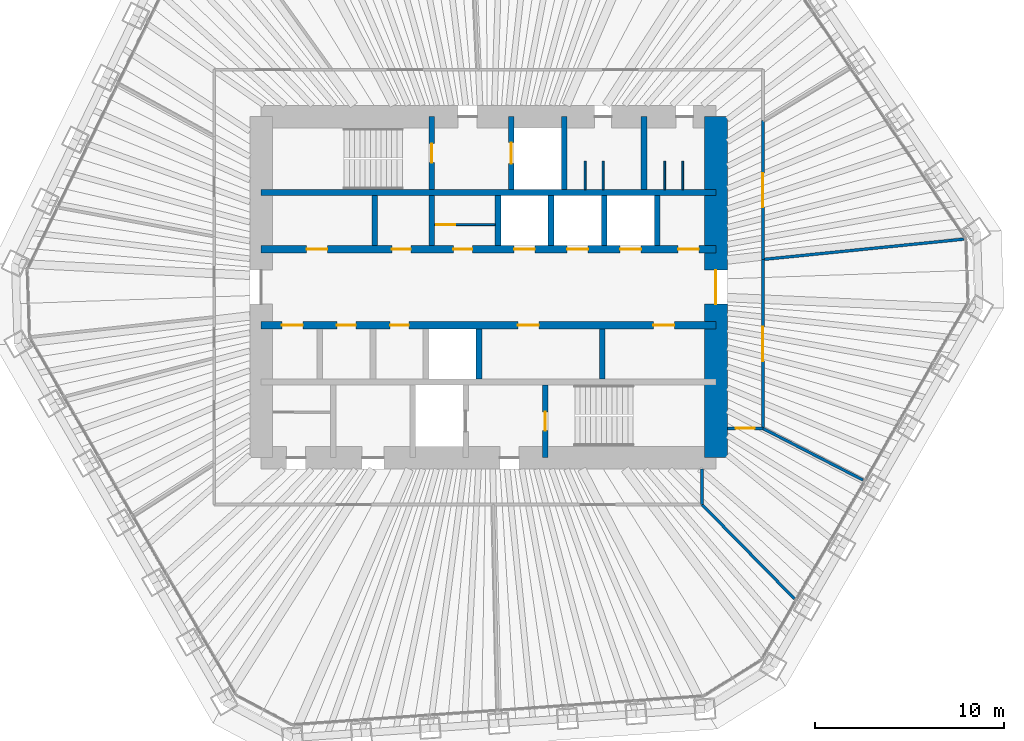
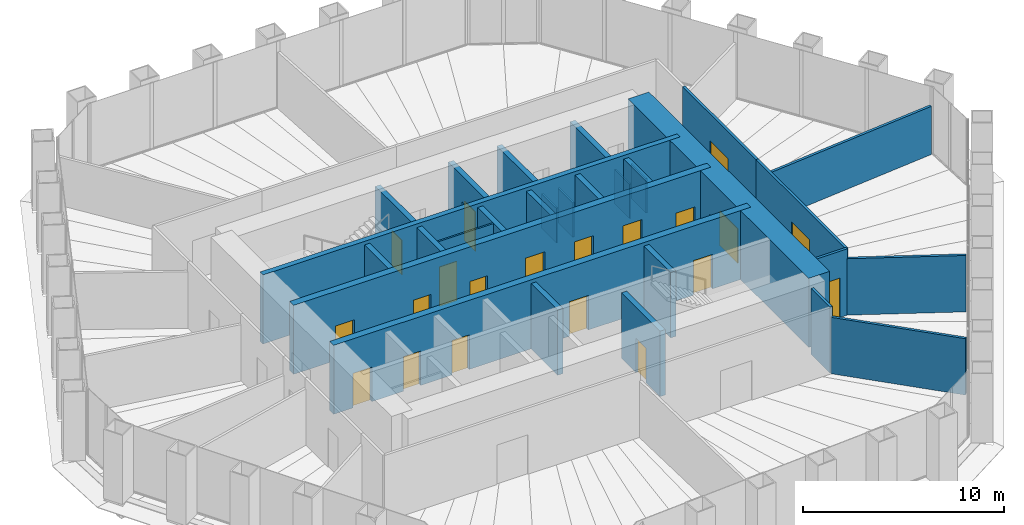
# One storey, part 11 of 13: 29 walls, 20 doors, 20 openings.
"""IFC4 building model written with IfcOpenShell, lengths in metres."""

import ifcopenshell
import ifcopenshell.guid

model = None  # the IFC model being written
_history = None  # IfcOwnerHistory: only IFC2X3 demands one
_inside = {}  # id of a spatial element -> (the spatial element, [elements in it])
_under = {}  # id of a project, library or spatial element -> (it, [spatial elements below it])
_declared = {}  # id of a project -> (the project, [libraries it declares])
_typed = {}  # id of a type object -> (the type object, [elements of that type])
_made_of = {}  # id of a material, layer set ... -> (it, [elements and type objects made of it])


def new_model(schema):
    """Start an empty IFC model of exactly this schema.

    Asked for "IFC4X3", IfcOpenShell would pick the latest addendum, in which some entities
    have other attributes; the version numbers below select the first issue.
    IFC2X3 requires an IfcOwnerHistory on every rooted entity: one is made here for all.
    """
    global model, _history
    if schema == "IFC4X3":
        model = ifcopenshell.file(schema_version=(4, 3, 0, 0))
    else:
        model = ifcopenshell.file(schema=schema)
    _inside.clear()
    _under.clear()
    _declared.clear()
    _typed.clear()
    _made_of.clear()
    _history = None
    if model.schema == "IFC2X3":
        org = make("IfcOrganization", Name="unknown")
        user = make(
            "IfcPersonAndOrganization",
            ThePerson=make("IfcPerson", FamilyName="unknown"),
            TheOrganization=org,
        )
        app = make(
            "IfcApplication",
            ApplicationDeveloper=org,
            Version="unknown",
            ApplicationFullName="unknown",
            ApplicationIdentifier="unknown",
        )
        _history = make(
            "IfcOwnerHistory",
            OwningUser=user,
            OwningApplication=app,
            ChangeAction="ADDED",
            CreationDate=0,
        )
    return model


def make(cls, **values):
    """One entity of the class cls with the attributes given. An attribute that is None is left unset."""
    return model.create_entity(
        cls, **{name: value for name, value in values.items() if value is not None}
    )


def rooted(cls, **values):
    """An entity with a GlobalId (a new one), such as an element, a storey or a relation."""
    return make(cls, GlobalId=ifcopenshell.guid.new(), OwnerHistory=_history, **values)


def si_unit(unit_type, name, prefix=None):
    """IfcSIUnit, for example si_unit("LENGTHUNIT", "METRE", prefix="MILLI")."""
    return make("IfcSIUnit", UnitType=unit_type, Prefix=prefix, Name=name)


def assignment(units):
    """IfcUnitAssignment: the units of a project."""
    return None if units is None else make("IfcUnitAssignment", Units=units)


def point(xyz):
    """IfcCartesianPoint."""
    return None if xyz is None else make("IfcCartesianPoint", Coordinates=xyz)


def direction(xyz):
    """IfcDirection."""
    return None if xyz is None else make("IfcDirection", DirectionRatios=xyz)


def frame(location, z_axis=None, x_axis=None):
    """IfcAxis2Placement3D, a coordinate frame: its origin and axes. An axis left out is left unset."""
    return make(
        "IfcAxis2Placement3D",
        Location=point(location),
        Axis=direction(z_axis),
        RefDirection=direction(x_axis),
    )


def frame_2d(location, x_axis=None):
    """IfcAxis2Placement2D, a coordinate frame in the plane: its origin and x axis."""
    return make(
        "IfcAxis2Placement2D", Location=point(location), RefDirection=direction(x_axis)
    )


def origin():
    """The frame at (0, 0, 0) with its axes left unset."""
    return frame((0.0, 0.0, 0.0))


def place(relative_to, where):
    """IfcLocalPlacement: puts the frame where relative to a parent placement (None: the world)."""
    return make(
        "IfcLocalPlacement", PlacementRelTo=relative_to, RelativePlacement=where
    )


def context(
    kind, dimensions, precision=None, world=None, true_north=None, identifier=None
):
    """IfcGeometricRepresentationContext, for example the 3D "Model" context."""
    return make(
        "IfcGeometricRepresentationContext",
        ContextIdentifier=identifier,
        ContextType=kind,
        CoordinateSpaceDimension=dimensions,
        Precision=precision,
        WorldCoordinateSystem=world,
        TrueNorth=true_north,
    )


def subcontext(parent, identifier, kind, view, scale=None):
    """IfcGeometricRepresentationSubContext, for example "Body" below "Model"."""
    return make(
        "IfcGeometricRepresentationSubContext",
        ContextIdentifier=identifier,
        ContextType=kind,
        ParentContext=parent,
        TargetScale=scale,
        TargetView=view,
    )


def project(units=None, contexts=None):
    """IfcProject with its units and contexts."""
    return rooted(
        "IfcProject",
        Name="project",
        RepresentationContexts=contexts,
        UnitsInContext=assignment(units),
    )


def spatial(cls, under=None, at=None, **own):
    """A site, building, storey or space (cls), placed at a placement, below another one or the project."""
    s = rooted(cls, ObjectPlacement=at, **own)
    if under is not None:
        _under.setdefault(under.id(), (under, []))[1].append(s)
    return s


def profile(cls, at=None, kind="AREA", **sizes):
    """A parametric profile (cls). Its sizes go by their IFC names, for example OverallWidth=200.0."""
    return make(cls, ProfileType=kind, Position=at, **sizes)


def rectangle(**sizes):
    """IfcRectangleProfileDef."""
    return profile("IfcRectangleProfileDef", **sizes)


def extrude(swept, where, along, depth):
    """IfcExtrudedAreaSolid: the profile swept, set in the frame where, extruded along a direction by depth."""
    return make(
        "IfcExtrudedAreaSolid",
        SweptArea=swept,
        Position=where,
        ExtrudedDirection=direction(along),
        Depth=depth,
    )


def shape(context_of_items, identifier, shape_type, items):
    """IfcShapeRepresentation: the items that make up one representation, for example the "Body"."""
    return make(
        "IfcShapeRepresentation",
        ContextOfItems=context_of_items,
        RepresentationIdentifier=identifier,
        RepresentationType=shape_type,
        Items=items,
    )


def material(Name=None, Category=None):
    """IfcMaterial."""
    return make("IfcMaterial", Name=Name, Category=Category)


def layer(
    of_material, thickness, ventilated=None, Name=None, Category=None, Priority=None
):
    """IfcMaterialLayer: one layer of a wall or slab, of a material (None: an air gap)."""
    return make(
        "IfcMaterialLayer",
        Material=of_material,
        LayerThickness=thickness,
        IsVentilated=ventilated,
        Name=Name,
        Category=Category,
        Priority=Priority,
    )


def layer_set(layers, Name=None):
    """IfcMaterialLayerSet."""
    return make("IfcMaterialLayerSet", MaterialLayers=layers, LayerSetName=Name)


def made_of(thing, what):
    """Note that an element or type object is made of a material, layer set ...; save() writes the relation."""
    if what is not None:
        _made_of.setdefault(what.id(), (what, []))[1].append(thing)
    return thing


def type_object(cls, material=None, **own):
    """A type object (cls), such as IfcWallType, which elements share."""
    return made_of(rooted(cls, **own), material)


def element(
    cls,
    number,
    at=None,
    inside=None,
    cuts=None,
    type_object=None,
    material=None,
    context=None,
    identifier="Body",
    shape_type=None,
    held_by="IfcProductDefinitionShape",
    body=None,
    shapes=None,
    **own,
):
    """One element of the class cls, such as IfcWall. Its Tag is "e" and its number.

    at: its placement. inside: the storey or other place that contains it. cuts: it is an
    opening in that element (IfcRelVoidsElement). A single representation is given by context,
    identifier, shape_type and body (its items); several are given by shapes. held_by: the class
    of the entity that holds the representations. save() writes the other relations.
    """
    e = rooted(cls, Tag="e%d" % number, ObjectPlacement=at, **own)
    if body is not None:
        shapes = [shape(context, identifier, shape_type, body)]
    if shapes is not None:
        e.Representation = make(held_by, Representations=shapes)
    if inside is not None:
        _inside.setdefault(inside.id(), (inside, []))[1].append(e)
    if cuts is not None:
        rooted(
            "IfcRelVoidsElement", RelatingBuildingElement=cuts, RelatedOpeningElement=e
        )
    if type_object is not None:
        _typed.setdefault(type_object.id(), (type_object, []))[1].append(e)
    return made_of(e, material)


def fill(opening, filler):
    """IfcRelFillsElement: the door or window that sits in an opening."""
    return rooted(
        "IfcRelFillsElement",
        RelatingOpeningElement=opening,
        RelatedBuildingElement=filler,
    )


def aggregate(whole, parts):
    """IfcRelAggregates: a whole, such as a stair, and the parts it consists of."""
    return rooted("IfcRelAggregates", RelatingObject=whole, RelatedObjects=parts)


def save(model, path):
    """Write the relations noted so far, then the file.

    IfcRelAggregates (storeys below a building ...), IfcRelContainedInSpatialStructure (elements
    in a storey), IfcRelDefinesByType, IfcRelAssociatesMaterial and IfcRelDeclares: one each for
    every whole, place, type object, material and project.
    """
    for whole, parts in _under.values():
        aggregate(whole, parts)
    for where, things in _inside.values():
        rooted(
            "IfcRelContainedInSpatialStructure",
            RelatedElements=things,
            RelatingStructure=where,
        )
    for kind, things in _typed.values():
        rooted("IfcRelDefinesByType", RelatedObjects=things, RelatingType=kind)
    for what, things in _made_of.values():
        rooted("IfcRelAssociatesMaterial", RelatedObjects=things, RelatingMaterial=what)
    for by, libraries in _declared.values():
        rooted("IfcRelDeclares", RelatingContext=by, RelatedDefinitions=libraries)
    model.write(path)


model = new_model("IFC4")

# Units and contexts
model_context = context("Model", 3, precision=1e-05, world=origin(), true_north=direction((0.0, 1.0)))
body_context = subcontext(model_context, "Body", "Model", "MODEL_VIEW")
ifc_project = project(units=[si_unit("LENGTHUNIT", "METRE"), si_unit("AREAUNIT", "SQUARE_METRE"), si_unit("VOLUMEUNIT", "CUBIC_METRE"), si_unit("PLANEANGLEUNIT", "RADIAN"), si_unit("MASSUNIT", "GRAM", prefix="KILO")], contexts=[model_context])

# Site, building, storey
site_placement = place(None, origin())
site = spatial("IfcSite", under=ifc_project, at=site_placement, CompositionType="ELEMENT")
building_placement = place(site_placement, origin())
building = spatial("IfcBuilding", under=site, at=building_placement, Name="Qingtian Harvest Tower", CompositionType="ELEMENT")
storey_placement = place(building_placement, frame((0.0, 0.0, 218.199951171875)))
storey = spatial("IfcBuildingStorey", under=building, at=storey_placement, Name="L47", CompositionType="ELEMENT", Elevation=218.199951171875)

# Wall
ifc_material_1 = material(Name="Concrete fc' 70 MPa", Category="concrete")
ifc_layer_1 = layer(ifc_material_1, 0.300048828125)
ifc_layer_set_1 = layer_set([ifc_layer_1], Name="Core inner wall RC5 300")
wall_type_1 = type_object("IfcWallType", Name="Core inner wall RC5 300", PredefinedType="SHEAR", material=ifc_layer_set_1)
wall_1_placement = place(storey_placement, frame((-12.0, 5.0, 0.0), z_axis=(0.0, 0.0, 1.0), x_axis=(1.0, 0.0, 0.0)))
element("IfcWall", 1, at=wall_1_placement, inside=storey, type_object=wall_type_1, Name="Core wall IN5 L47", PredefinedType="SHEAR", context=body_context, shape_type="SweptSolid", body=[
    extrude(rectangle(XDim=24.0, YDim=0.300048828125, at=frame_2d((12.0, 0.0))), origin(), (0.0, 0.0, 1.0), 4.199951171875),
])

# Wall, openings, doors
ifc_material_2 = material(Name="Concrete fc' 70 MPa", Category="concrete")
ifc_layer_2 = layer(ifc_material_2, 0.39990234375)
ifc_layer_set_2 = layer_set([ifc_layer_2], Name="Core inner web RC6 400")
wall_type_2 = type_object("IfcWallType", Name="Core inner web RC6 400", PredefinedType="SHEAR", material=ifc_layer_set_2)
wall_2_placement = place(storey_placement, frame((-12.0, 2.0, 0.0), z_axis=(0.0, 0.0, 1.0), x_axis=(1.0, 0.0, 0.0)))
wall_2 = element("IfcWall", 2, at=wall_2_placement, inside=storey, type_object=wall_type_2, Name="Core wall IN2 L47", PredefinedType="SHEAR", context=body_context, shape_type="SweptSolid", body=[
    extrude(rectangle(XDim=24.0, YDim=0.39990234375, at=frame_2d((12.0, 0.0))), origin(), (0.0, 0.0, 1.0), 4.199951171875),
])
opening_1_placement = place(wall_2_placement, frame((2.39990234375, 0.0, 0.0)))
opening_1 = element("IfcOpeningElement", 3, at=opening_1_placement, cuts=wall_2, Name="Opening FD4", PredefinedType="OPENING", context=body_context, shape_type="SweptSolid", body=[
    extrude(rectangle(XDim=1.10009765625, YDim=2.10009765625, at=frame_2d((0.550048828125, 1.050048828125))), frame((0.0, 0.2099609375, 0.0), z_axis=(0.0, -1.0, 0.0), x_axis=(1.0, 0.0, 0.0)), (0.0, 0.0, 1.0), 0.419921875),
])
opening_2_placement = place(wall_2_placement, frame((22.0, 0.0, 0.0)))
opening_2 = element("IfcOpeningElement", 4, at=opening_2_placement, cuts=wall_2, Name="Opening FD4", PredefinedType="OPENING", context=body_context, shape_type="SweptSolid", body=[
    extrude(rectangle(XDim=1.10009765625, YDim=2.10009765625, at=frame_2d((0.550048828125, 1.050048828125))), frame((0.0, 0.2099609375, 0.0), z_axis=(0.0, -1.0, 0.0), x_axis=(1.0, 0.0, 0.0)), (0.0, 0.0, 1.0), 0.419921875),
])
opening_3_placement = place(wall_2_placement, frame((10.14990234375, 0.0, 0.0)))
opening_3 = element("IfcOpeningElement", 5, at=opening_3_placement, cuts=wall_2, Name="Opening FD1", PredefinedType="OPENING", context=body_context, shape_type="SweptSolid", body=[
    extrude(rectangle(XDim=1.0, YDim=2.10009765625, at=frame_2d((0.5, 1.050048828125))), frame((0.0, 0.2099609375, 0.0), z_axis=(0.0, -1.0, 0.0), x_axis=(1.0, 0.0, 0.0)), (0.0, 0.0, 1.0), 0.419921875),
])
opening_4_placement = place(wall_2_placement, frame((6.89990234375, 0.0, 0.0)))
opening_4 = element("IfcOpeningElement", 6, at=opening_4_placement, cuts=wall_2, Name="Opening FD1", PredefinedType="OPENING", context=body_context, shape_type="SweptSolid", body=[
    extrude(rectangle(XDim=1.0, YDim=2.10009765625, at=frame_2d((0.5, 1.050048828125))), frame((0.0, 0.2099609375, 0.0), z_axis=(0.0, -1.0, 0.0), x_axis=(1.0, 0.0, 0.0)), (0.0, 0.0, 1.0), 0.419921875),
])
opening_5_placement = place(wall_2_placement, frame((13.35009765625, 0.0, 0.0)))
opening_5 = element("IfcOpeningElement", 7, at=opening_5_placement, cuts=wall_2, Name="Opening LD1", PredefinedType="OPENING", context=body_context, shape_type="SweptSolid", body=[
    extrude(rectangle(XDim=1.10009765625, YDim=2.39990234375, at=frame_2d((0.550048828125, 1.199951171875))), frame((0.0, 0.2099609375, 0.0), z_axis=(0.0, -1.0, 0.0), x_axis=(1.0, 0.0, 0.0)), (0.0, 0.0, 1.0), 0.419921875),
])
opening_6_placement = place(wall_2_placement, frame((16.14990234375, 0.0, 0.0)))
opening_6 = element("IfcOpeningElement", 8, at=opening_6_placement, cuts=wall_2, Name="Opening LD1", PredefinedType="OPENING", context=body_context, shape_type="SweptSolid", body=[
    extrude(rectangle(XDim=1.10009765625, YDim=2.39990234375, at=frame_2d((0.550048828125, 1.199951171875))), frame((0.0, 0.2099609375, 0.0), z_axis=(0.0, -1.0, 0.0), x_axis=(1.0, 0.0, 0.0)), (0.0, 0.0, 1.0), 0.419921875),
])
opening_7_placement = place(wall_2_placement, frame((18.949951171875, 0.0, 0.0)))
opening_7 = element("IfcOpeningElement", 9, at=opening_7_placement, cuts=wall_2, Name="Opening LD1", PredefinedType="OPENING", context=body_context, shape_type="SweptSolid", body=[
    extrude(rectangle(XDim=1.10009765625, YDim=2.39990234375, at=frame_2d((0.550048828125, 1.199951171875))), frame((0.0, 0.2099609375, 0.0), z_axis=(0.0, -1.0, 0.0), x_axis=(1.0, 0.0, 0.0)), (0.0, 0.0, 1.0), 0.419921875),
])
ifc_material_3 = material(Name="Steel-faced door leaf", Category="steel")
door_type_1 = type_object("IfcDoorType", Name="Fire door FD1 single 1 HR", OperationType="SINGLE_SWING_LEFT", PredefinedType="DOOR", material=ifc_material_3)
door_1_placement = place(opening_3_placement, origin())
door_1 = element("IfcDoor", 10, at=door_1_placement, inside=storey, type_object=door_type_1, Name="STA door L47", OperationType="SINGLE_SWING_LEFT", OverallHeight=2.10009765625, OverallWidth=1.0, PredefinedType="DOOR", context=body_context, shape_type="SweptSolid", body=[
    extrude(rectangle(XDim=1.0, YDim=2.10009765625, at=frame_2d((0.5, 1.050048828125))), frame((0.0, 0.02490234375, 0.0), z_axis=(0.0, -1.0, 0.0), x_axis=(1.0, 0.0, 0.0)), (0.0, 0.0, 1.0), 0.050048828125),
])
fill(opening_3, door_1)
door_2_placement = place(opening_4_placement, origin())
door_2 = element("IfcDoor", 11, at=door_2_placement, inside=storey, type_object=door_type_1, Name="Store door L47", OperationType="SINGLE_SWING_LEFT", OverallHeight=2.10009765625, OverallWidth=1.0, PredefinedType="DOOR", context=body_context, shape_type="SweptSolid", body=[
    extrude(rectangle(XDim=1.0, YDim=2.10009765625, at=frame_2d((0.5, 1.050048828125))), frame((0.0, 0.02490234375, 0.0), z_axis=(0.0, -1.0, 0.0), x_axis=(1.0, 0.0, 0.0)), (0.0, 0.0, 1.0), 0.050048828125),
])
fill(opening_4, door_2)
ifc_material_4 = material(Name="Steel-faced door leaf", Category="steel")
door_type_2 = type_object("IfcDoorType", Name="Fire door FD4 single 2 HR", OperationType="SINGLE_SWING_LEFT", PredefinedType="DOOR", material=ifc_material_4)
door_3_placement = place(opening_1_placement, origin())
door_3 = element("IfcDoor", 12, at=door_3_placement, inside=storey, type_object=door_type_2, Name="RA door L47", OperationType="SINGLE_SWING_LEFT", OverallHeight=2.10009765625, OverallWidth=1.10009765625, PredefinedType="DOOR", context=body_context, shape_type="SweptSolid", body=[
    extrude(rectangle(XDim=1.10009765625, YDim=2.10009765625, at=frame_2d((0.550048828125, 1.050048828125))), frame((0.0, 0.02490234375, 0.0), z_axis=(0.0, -1.0, 0.0), x_axis=(1.0, 0.0, 0.0)), (0.0, 0.0, 1.0), 0.050048828125),
])
fill(opening_1, door_3)
door_4_placement = place(opening_2_placement, origin())
door_4 = element("IfcDoor", 13, at=door_4_placement, inside=storey, type_object=door_type_2, Name="AHU door L47", OperationType="SINGLE_SWING_RIGHT", OverallHeight=2.10009765625, OverallWidth=1.10009765625, PredefinedType="DOOR", context=body_context, shape_type="SweptSolid", body=[
    extrude(rectangle(XDim=1.10009765625, YDim=2.10009765625, at=frame_2d((0.550048828125, 1.050048828125))), frame((0.0, 0.02490234375, 0.0), z_axis=(0.0, -1.0, 0.0), x_axis=(1.0, 0.0, 0.0)), (0.0, 0.0, 1.0), 0.050048828125),
])
fill(opening_2, door_4)
ifc_material_5 = material(Name="Stainless steel lift landing door", Category="steel")
door_type_3 = type_object("IfcDoorType", Name="Lift landing door LD1 1 HR", OperationType="DOUBLE_DOOR_SLIDING", PredefinedType="DOOR", material=ifc_material_5)
door_5_placement = place(opening_5_placement, origin())
door_5 = element("IfcDoor", 14, at=door_5_placement, inside=storey, type_object=door_type_3, Name="PLC1 landing door L47", OperationType="DOUBLE_DOOR_SLIDING", OverallHeight=2.39990234375, OverallWidth=1.10009765625, PredefinedType="DOOR", context=body_context, shape_type="SweptSolid", body=[
    extrude(rectangle(XDim=1.10009765625, YDim=2.39990234375, at=frame_2d((0.550048828125, 1.199951171875))), frame((0.0, 0.02490234375, 0.0), z_axis=(0.0, -1.0, 0.0), x_axis=(1.0, 0.0, 0.0)), (0.0, 0.0, 1.0), 0.050048828125),
])
fill(opening_5, door_5)
door_6_placement = place(opening_6_placement, origin())
door_6 = element("IfcDoor", 15, at=door_6_placement, inside=storey, type_object=door_type_3, Name="PLC2 landing door L47", OperationType="DOUBLE_DOOR_SLIDING", OverallHeight=2.39990234375, OverallWidth=1.10009765625, PredefinedType="DOOR", context=body_context, shape_type="SweptSolid", body=[
    extrude(rectangle(XDim=1.10009765625, YDim=2.39990234375, at=frame_2d((0.550048828125, 1.199951171875))), frame((0.0, 0.02490234375, 0.0), z_axis=(0.0, -1.0, 0.0), x_axis=(1.0, 0.0, 0.0)), (0.0, 0.0, 1.0), 0.050048828125),
])
fill(opening_6, door_6)
door_7_placement = place(opening_7_placement, origin())
door_7 = element("IfcDoor", 16, at=door_7_placement, inside=storey, type_object=door_type_3, Name="PLC3 landing door L47", OperationType="DOUBLE_DOOR_SLIDING", OverallHeight=2.39990234375, OverallWidth=1.10009765625, PredefinedType="DOOR", context=body_context, shape_type="SweptSolid", body=[
    extrude(rectangle(XDim=1.10009765625, YDim=2.39990234375, at=frame_2d((0.550048828125, 1.199951171875))), frame((0.0, 0.02490234375, 0.0), z_axis=(0.0, -1.0, 0.0), x_axis=(1.0, 0.0, 0.0)), (0.0, 0.0, 1.0), 0.050048828125),
])
fill(opening_7, door_7)

wall_3_placement = place(storey_placement, frame((-12.0, -2.0, 0.0), z_axis=(0.0, 0.0, 1.0), x_axis=(1.0, 0.0, 0.0)))
wall_3 = element("IfcWall", 17, at=wall_3_placement, inside=storey, type_object=wall_type_2, Name="Core wall IS2 L47", PredefinedType="SHEAR", context=body_context, shape_type="SweptSolid", body=[
    extrude(rectangle(XDim=24.0, YDim=0.39990234375, at=frame_2d((12.0, 0.0))), origin(), (0.0, 0.0, 1.0), 4.199951171875),
])
opening_8_placement = place(wall_3_placement, frame((1.10009765625, 0.0, 0.0)))
opening_8 = element("IfcOpeningElement", 18, at=opening_8_placement, cuts=wall_3, Name="Opening FD4", PredefinedType="OPENING", context=body_context, shape_type="SweptSolid", body=[
    extrude(rectangle(XDim=1.10009765625, YDim=2.10009765625, at=frame_2d((0.550048828125, 1.050048828125))), frame((0.0, 0.2099609375, 0.0), z_axis=(0.0, -1.0, 0.0), x_axis=(1.0, 0.0, 0.0)), (0.0, 0.0, 1.0), 0.419921875),
])
opening_9_placement = place(wall_3_placement, frame((13.550048828125, 0.0, 0.0)))
opening_9 = element("IfcOpeningElement", 19, at=opening_9_placement, cuts=wall_3, Name="Opening FD4", PredefinedType="OPENING", context=body_context, shape_type="SweptSolid", body=[
    extrude(rectangle(XDim=1.10009765625, YDim=2.10009765625, at=frame_2d((0.550048828125, 1.050048828125))), frame((0.0, 0.2099609375, 0.0), z_axis=(0.0, -1.0, 0.0), x_axis=(1.0, 0.0, 0.0)), (0.0, 0.0, 1.0), 0.419921875),
])
opening_10_placement = place(wall_3_placement, frame((20.699951171875, 0.0, 0.0)))
opening_10 = element("IfcOpeningElement", 20, at=opening_10_placement, cuts=wall_3, Name="Opening FD4", PredefinedType="OPENING", context=body_context, shape_type="SweptSolid", body=[
    extrude(rectangle(XDim=1.10009765625, YDim=2.10009765625, at=frame_2d((0.550048828125, 1.050048828125))), frame((0.0, 0.2099609375, 0.0), z_axis=(0.0, -1.0, 0.0), x_axis=(1.0, 0.0, 0.0)), (0.0, 0.0, 1.0), 0.419921875),
])
opening_11_placement = place(wall_3_placement, frame((4.0, 0.0, 0.0)))
opening_11 = element("IfcOpeningElement", 21, at=opening_11_placement, cuts=wall_3, Name="Opening FD1", PredefinedType="OPENING", context=body_context, shape_type="SweptSolid", body=[
    extrude(rectangle(XDim=1.0, YDim=2.10009765625, at=frame_2d((0.5, 1.050048828125))), frame((0.0, 0.2099609375, 0.0), z_axis=(0.0, -1.0, 0.0), x_axis=(1.0, 0.0, 0.0)), (0.0, 0.0, 1.0), 0.419921875),
])
opening_12_placement = place(wall_3_placement, frame((6.800048828125, 0.0, 0.0)))
opening_12 = element("IfcOpeningElement", 22, at=opening_12_placement, cuts=wall_3, Name="Opening FD1", PredefinedType="OPENING", context=body_context, shape_type="SweptSolid", body=[
    extrude(rectangle(XDim=1.0, YDim=2.10009765625, at=frame_2d((0.5, 1.050048828125))), frame((0.0, 0.2099609375, 0.0), z_axis=(0.0, -1.0, 0.0), x_axis=(1.0, 0.0, 0.0)), (0.0, 0.0, 1.0), 0.419921875),
])
door_8_placement = place(opening_11_placement, origin())
door_8 = element("IfcDoor", 23, at=door_8_placement, inside=storey, type_object=door_type_1, Name="IT room door L47", OperationType="SINGLE_SWING_RIGHT", OverallHeight=2.10009765625, OverallWidth=1.0, PredefinedType="DOOR", context=body_context, shape_type="SweptSolid", body=[
    extrude(rectangle(XDim=1.0, YDim=2.10009765625, at=frame_2d((0.5, 1.050048828125))), frame((0.0, 0.02490234375, 0.0), z_axis=(0.0, -1.0, 0.0), x_axis=(1.0, 0.0, 0.0)), (0.0, 0.0, 1.0), 0.050048828125),
])
fill(opening_11, door_8)
door_9_placement = place(opening_12_placement, origin())
door_9 = element("IfcDoor", 24, at=door_9_placement, inside=storey, type_object=door_type_1, Name="Store door L47", OperationType="SINGLE_SWING_RIGHT", OverallHeight=2.10009765625, OverallWidth=1.0, PredefinedType="DOOR", context=body_context, shape_type="SweptSolid", body=[
    extrude(rectangle(XDim=1.0, YDim=2.10009765625, at=frame_2d((0.5, 1.050048828125))), frame((0.0, 0.02490234375, 0.0), z_axis=(0.0, -1.0, 0.0), x_axis=(1.0, 0.0, 0.0)), (0.0, 0.0, 1.0), 0.050048828125),
])
fill(opening_12, door_9)
door_10_placement = place(opening_8_placement, origin())
door_10 = element("IfcDoor", 25, at=door_10_placement, inside=storey, type_object=door_type_2, Name="RB door L47", OperationType="SINGLE_SWING_RIGHT", OverallHeight=2.10009765625, OverallWidth=1.10009765625, PredefinedType="DOOR", context=body_context, shape_type="SweptSolid", body=[
    extrude(rectangle(XDim=1.10009765625, YDim=2.10009765625, at=frame_2d((0.550048828125, 1.050048828125))), frame((0.0, 0.02490234375, 0.0), z_axis=(0.0, -1.0, 0.0), x_axis=(1.0, 0.0, 0.0)), (0.0, 0.0, 1.0), 0.050048828125),
])
fill(opening_8, door_10)
door_11_placement = place(opening_9_placement, origin())
door_11 = element("IfcDoor", 26, at=door_11_placement, inside=storey, type_object=door_type_2, Name="ELEC door L47", OperationType="SINGLE_SWING_LEFT", OverallHeight=2.10009765625, OverallWidth=1.10009765625, PredefinedType="DOOR", context=body_context, shape_type="SweptSolid", body=[
    extrude(rectangle(XDim=1.10009765625, YDim=2.10009765625, at=frame_2d((0.550048828125, 1.050048828125))), frame((0.0, 0.02490234375, 0.0), z_axis=(0.0, -1.0, 0.0), x_axis=(1.0, 0.0, 0.0)), (0.0, 0.0, 1.0), 0.050048828125),
])
fill(opening_9, door_11)
door_12_placement = place(opening_10_placement, origin())
door_12 = element("IfcDoor", 27, at=door_12_placement, inside=storey, type_object=door_type_2, Name="DUCT door L47", OperationType="SINGLE_SWING_LEFT", OverallHeight=2.10009765625, OverallWidth=1.10009765625, PredefinedType="DOOR", context=body_context, shape_type="SweptSolid", body=[
    extrude(rectangle(XDim=1.10009765625, YDim=2.10009765625, at=frame_2d((0.550048828125, 1.050048828125))), frame((0.0, 0.02490234375, 0.0), z_axis=(0.0, -1.0, 0.0), x_axis=(1.0, 0.0, 0.0)), (0.0, 0.0, 1.0), 0.050048828125),
])
fill(opening_10, door_12)

# Wall, opening, door
ifc_material_6 = material(Name="Precast concrete shaft panel", Category="concrete")
ifc_layer_3 = layer(ifc_material_6, 0.300048828125)
ifc_layer_set_3 = layer_set([ifc_layer_3], Name="Core shaft partition SW1 300")
wall_type_3 = type_object("IfcWallType", Name="Core shaft partition SW1 300", PredefinedType="PARTITIONING", material=ifc_layer_set_3)
wall_4_placement = place(storey_placement, frame((-3.0, 5.14990234375, 0.0), z_axis=(0.0, 0.0, 1.0), x_axis=(0.0, 1.0, 0.0)))
wall_4 = element("IfcWall", 28, at=wall_4_placement, inside=storey, type_object=wall_type_3, Name="Core shaft partition XN1 L47", PredefinedType="PARTITIONING", context=body_context, shape_type="SweptSolid", body=[
    extrude(rectangle(XDim=3.85009765625, YDim=0.300048828125, at=frame_2d((1.925048828125, 0.0))), origin(), (0.0, 0.0, 1.0), 3.97998046875),
])
opening_13_placement = place(wall_4_placement, frame((1.425048828125, 0.0, 0.0)))
opening_13 = element("IfcOpeningElement", 29, at=opening_13_placement, cuts=wall_4, Name="Opening FD1", PredefinedType="OPENING", context=body_context, shape_type="SweptSolid", body=[
    extrude(rectangle(XDim=1.0, YDim=2.10009765625, at=frame_2d((0.5, 1.050048828125))), frame((0.0, 0.159912109375, 0.0), z_axis=(0.0, -1.0, 0.0), x_axis=(1.0, 0.0, 0.0)), (0.0, 0.0, 1.0), 0.320068359375),
])
door_13_placement = place(opening_13_placement, origin())
door_13 = element("IfcDoor", 30, at=door_13_placement, inside=storey, type_object=door_type_1, Name="S1 door L47", OperationType="SINGLE_SWING_RIGHT", OverallHeight=2.10009765625, OverallWidth=1.0, PredefinedType="DOOR", context=body_context, shape_type="SweptSolid", body=[
    extrude(rectangle(XDim=1.0, YDim=2.10009765625, at=frame_2d((0.5, 1.050048828125))), frame((0.0, 0.02490234375, 0.0), z_axis=(0.0, -1.0, 0.0), x_axis=(1.0, 0.0, 0.0)), (0.0, 0.0, 1.0), 0.050048828125),
])
fill(opening_13, door_13)

wall_5_placement = place(storey_placement, frame((1.199951171875, 5.14990234375, 0.0), z_axis=(0.0, 0.0, 1.0), x_axis=(0.0, 1.0, 0.0)))
wall_5 = element("IfcWall", 31, at=wall_5_placement, inside=storey, type_object=wall_type_3, Name="Core shaft partition XN2 L47", PredefinedType="PARTITIONING", context=body_context, shape_type="SweptSolid", body=[
    extrude(rectangle(XDim=3.85009765625, YDim=0.300048828125, at=frame_2d((1.925048828125, 0.0))), origin(), (0.0, 0.0, 1.0), 3.97998046875),
])
opening_14_placement = place(wall_5_placement, frame((1.375, 0.0, 0.0)))
opening_14 = element("IfcOpeningElement", 32, at=opening_14_placement, cuts=wall_5, Name="Opening LD1", PredefinedType="OPENING", context=body_context, shape_type="SweptSolid", body=[
    extrude(rectangle(XDim=1.10009765625, YDim=2.39990234375, at=frame_2d((0.550048828125, 1.199951171875))), frame((0.0, 0.159912109375, 0.0), z_axis=(0.0, -1.0, 0.0), x_axis=(1.0, 0.0, 0.0)), (0.0, 0.0, 1.0), 0.320068359375),
])
door_14_placement = place(opening_14_placement, origin())
door_14 = element("IfcDoor", 33, at=door_14_placement, inside=storey, type_object=door_type_3, Name="FL1 landing door L47", OperationType="DOUBLE_DOOR_SLIDING", OverallHeight=2.39990234375, OverallWidth=1.10009765625, PredefinedType="DOOR", context=body_context, shape_type="SweptSolid", body=[
    extrude(rectangle(XDim=1.10009765625, YDim=2.39990234375, at=frame_2d((0.550048828125, 1.199951171875))), frame((0.0, 0.02490234375, 0.0), z_axis=(0.0, -1.0, 0.0), x_axis=(1.0, 0.0, 0.0)), (0.0, 0.0, 1.0), 0.050048828125),
])
fill(opening_14, door_14)

# Walls
for number, where, z_axis, x_axis, name in (
    (34, (4.0, 5.14990234375, 0.0), (0.0, 0.0, 1.0), (0.0, 1.0, 0.0), "Core shaft partition XN3 L47"),
    (35, (8.199951171875, 5.14990234375, 0.0), (0.0, 0.0, 1.0), (0.0, 1.0, 0.0), "Core shaft partition XN4 L47"),
):
    element("IfcWall", number, at=place(storey_placement, frame(where, z_axis=z_axis, x_axis=x_axis)), inside=storey, type_object=wall_type_3, Name=name, PredefinedType="PARTITIONING", context=body_context, shape_type="SweptSolid", body=[
        extrude(rectangle(XDim=3.85009765625, YDim=0.300048828125, at=frame_2d((1.925048828125, 0.0))), origin(), (0.0, 0.0, 1.0), 3.97998046875),
    ])
for number, where, z_axis, x_axis, name in (
    (36, (-6.0, 2.199951171875, 0.0), (0.0, 0.0, 1.0), (0.0, 1.0, 0.0), "Core shaft partition XA1 L47"),
    (37, (-3.0, 2.199951171875, 0.0), (0.0, 0.0, 1.0), (0.0, 1.0, 0.0), "Core shaft partition XA2 L47"),
    (38, (0.5, 2.199951171875, 0.0), (0.0, 0.0, 1.0), (0.0, 1.0, 0.0), "Core shaft partition XA3 L47"),
    (39, (3.300048828125, 2.199951171875, 0.0), (0.0, 0.0, 1.0), (0.0, 1.0, 0.0), "Core shaft partition XA4 L47"),
    (40, (6.10009765625, 2.199951171875, 0.0), (0.0, 0.0, 1.0), (0.0, 1.0, 0.0), "Core shaft partition XA5 L47"),
    (41, (8.89990234375, 2.199951171875, 0.0), (0.0, 0.0, 1.0), (0.0, 1.0, 0.0), "Core shaft partition XA6 L47"),
    (42, (-0.5, -4.85009765625, 0.0), (0.0, 0.0, 1.0), (0.0, 1.0, 0.0), "Core shaft partition XB4 L47"),
    (43, (6.0, -4.85009765625, 0.0), (0.0, 0.0, 1.0), (0.0, 1.0, 0.0), "Core shaft partition XB5 L47"),
):
    element("IfcWall", number, at=place(storey_placement, frame(where, z_axis=z_axis, x_axis=x_axis)), inside=storey, type_object=wall_type_3, Name=name, PredefinedType="PARTITIONING", context=body_context, shape_type="SweptSolid", body=[
        extrude(rectangle(XDim=2.650146484375, YDim=0.300048828125, at=frame_2d((1.3251953125, 0.0))), origin(), (0.0, 0.0, 1.0), 3.97998046875),
    ])

# Wall, opening, door
wall_6_placement = place(storey_placement, frame((3.0, -9.0, 0.0), z_axis=(0.0, 0.0, 1.0), x_axis=(0.0, 1.0, 0.0)))
wall_6 = element("IfcWall", 44, at=wall_6_placement, inside=storey, type_object=wall_type_3, Name="Core shaft partition XS4 L47", PredefinedType="PARTITIONING", context=body_context, shape_type="SweptSolid", body=[
    extrude(rectangle(XDim=3.85009765625, YDim=0.300048828125, at=frame_2d((1.925048828125, 0.0))), origin(), (0.0, 0.0, 1.0), 3.97998046875),
])
opening_15_placement = place(wall_6_placement, frame((1.425048828125, 0.0, 0.0)))
opening_15 = element("IfcOpeningElement", 45, at=opening_15_placement, cuts=wall_6, Name="Opening FD1", PredefinedType="OPENING", context=body_context, shape_type="SweptSolid", body=[
    extrude(rectangle(XDim=1.0, YDim=2.10009765625, at=frame_2d((0.5, 1.050048828125))), frame((0.0, 0.159912109375, 0.0), z_axis=(0.0, -1.0, 0.0), x_axis=(1.0, 0.0, 0.0)), (0.0, 0.0, 1.0), 0.320068359375),
])
door_15_placement = place(opening_15_placement, origin())
door_15 = element("IfcDoor", 46, at=door_15_placement, inside=storey, type_object=door_type_1, Name="S2 door L47", OperationType="SINGLE_SWING_RIGHT", OverallHeight=2.10009765625, OverallWidth=1.0, PredefinedType="DOOR", context=body_context, shape_type="SweptSolid", body=[
    extrude(rectangle(XDim=1.0, YDim=2.10009765625, at=frame_2d((0.5, 1.050048828125))), frame((0.0, 0.02490234375, 0.0), z_axis=(0.0, -1.0, 0.0), x_axis=(1.0, 0.0, 0.0)), (0.0, 0.0, 1.0), 0.050048828125),
])
fill(opening_15, door_15)

ifc_material_7 = material(Name="Concrete fc' 70 MPa", Category="concrete")
ifc_layer_4 = layer(ifc_material_7, 1.199951171875)
ifc_layer_set_4 = layer_set([ifc_layer_4], Name="Core wall RC2 1200")
wall_type_4 = type_object("IfcWallType", Name="Core wall RC2 1200", PredefinedType="SHEAR", material=ifc_layer_set_4)
wall_7_placement = place(storey_placement, frame((12.0, -9.0, 0.0), z_axis=(0.0, 0.0, 1.0), x_axis=(0.0, 1.0, 0.0)))
wall_7 = element("IfcWall", 47, at=wall_7_placement, inside=storey, type_object=wall_type_4, Name="Core wall CE L47", PredefinedType="SHEAR", context=body_context, shape_type="SweptSolid", body=[
    extrude(rectangle(XDim=18.0, YDim=1.199951171875, at=frame_2d((9.0, 0.0))), origin(), (0.0, 0.0, 1.0), 4.199951171875),
])
opening_16_placement = place(wall_7_placement, frame((8.10009765625, 0.0, 0.0)))
opening_16 = element("IfcOpeningElement", 48, at=opening_16_placement, cuts=wall_7, Name="Opening FD2", PredefinedType="OPENING", context=body_context, shape_type="SweptSolid", body=[
    extrude(rectangle(XDim=1.800048828125, YDim=2.10009765625, at=frame_2d((0.89990234375, 1.050048828125))), frame((0.0, 0.60986328125, 0.0), z_axis=(0.0, -1.0, 0.0), x_axis=(1.0, 0.0, 0.0)), (0.0, 0.0, 1.0), 1.219970703125),
])
ifc_material_8 = material(Name="Steel-faced door leaf", Category="steel")
door_type_4 = type_object("IfcDoorType", Name="Fire door FD2 double 1 HR", OperationType="DOUBLE_DOOR_DOUBLE_SWING", PredefinedType="DOOR", material=ifc_material_8)
door_16_placement = place(opening_16_placement, origin())
door_16 = element("IfcDoor", 49, at=door_16_placement, inside=storey, type_object=door_type_4, Name="LOBBY-E door L47", OperationType="DOUBLE_DOOR_DOUBLE_SWING", OverallHeight=2.10009765625, OverallWidth=1.800048828125, PredefinedType="DOOR", context=body_context, shape_type="SweptSolid", body=[
    extrude(rectangle(XDim=1.800048828125, YDim=2.10009765625, at=frame_2d((0.89990234375, 1.050048828125))), frame((0.0, 0.02490234375, 0.0), z_axis=(0.0, -1.0, 0.0), x_axis=(1.0, 0.0, 0.0)), (0.0, 0.0, 1.0), 0.050048828125),
])
fill(opening_16, door_16)

ifc_material_9 = material(Name="Gypsum board on steel studs", Category="steel")
ifc_layer_5 = layer(ifc_material_9, 0.14990234375)
ifc_layer_set_5 = layer_set([ifc_layer_5], Name="Partition PT1 150")
wall_type_5 = type_object("IfcWallType", Name="Partition PT1 150", PredefinedType="PARTITIONING", material=ifc_layer_set_5)
wall_8_placement = place(storey_placement, frame((14.47509765625, 8.783447265625, 0.0), z_axis=(0.0, 0.0, 1.0), x_axis=(0.0, -1.0, 0.0)))
wall_8 = element("IfcWall", 50, at=wall_8_placement, inside=storey, type_object=wall_type_5, Name="Fitness room wall L47", PredefinedType="PARTITIONING", context=body_context, shape_type="SweptSolid", body=[
    extrude(rectangle(XDim=7.32080078125, YDim=0.14990234375, at=frame_2d((3.660400390625, 0.0))), origin(), (0.0, 0.0, 1.0), 4.030029296875),
])
opening_17_placement = place(wall_8_placement, frame((2.76025390625, 0.0, 0.0)))
opening_17 = element("IfcOpeningElement", 51, at=opening_17_placement, cuts=wall_8, Name="Opening D3", PredefinedType="OPENING", context=body_context, shape_type="SweptSolid", body=[
    extrude(rectangle(XDim=1.800048828125, YDim=2.39990234375, at=frame_2d((0.89990234375, 1.199951171875))), frame((0.0, 0.0849609375, 0.0), z_axis=(0.0, -1.0, 0.0), x_axis=(1.0, 0.0, 0.0)), (0.0, 0.0, 1.0), 0.169921875),
])
ifc_material_10 = material(Name="Laminated timber door leaf", Category="wood")
door_type_5 = type_object("IfcDoorType", Name="Room door D3 double", OperationType="DOUBLE_DOOR_DOUBLE_SWING", PredefinedType="DOOR", material=ifc_material_10)
door_17_placement = place(opening_17_placement, origin())
door_17 = element("IfcDoor", 52, at=door_17_placement, inside=storey, type_object=door_type_5, Name="Fitness room door L47", OperationType="DOUBLE_DOOR_DOUBLE_SWING", OverallHeight=2.39990234375, OverallWidth=1.800048828125, PredefinedType="DOOR", context=body_context, shape_type="SweptSolid", body=[
    extrude(rectangle(XDim=1.800048828125, YDim=2.39990234375, at=frame_2d((0.89990234375, 1.199951171875))), frame((0.0, 0.02490234375, 0.0), z_axis=(0.0, -1.0, 0.0), x_axis=(1.0, 0.0, 0.0)), (0.0, 0.0, 1.0), 0.050048828125),
])
fill(opening_17, door_17)

# Wall
wall_9_placement = place(storey_placement, frame((25.082763671875, 2.53466796875, 0.0), z_axis=(0.0, 0.0, 1.0), x_axis=(-0.994932122767, -0.10054884925, 0.0)))
element("IfcWall", 53, at=wall_9_placement, inside=storey, type_object=wall_type_5, Name="Exercise studio wall L47", PredefinedType="PARTITIONING", context=body_context, shape_type="SweptSolid", body=[
    extrude(rectangle(XDim=10.66162109375, YDim=0.14990234375, at=frame_2d((5.330810546875, 0.0))), origin(), (0.0, 0.0, 1.0), 2.929931640625),
])

# Wall, opening, door
wall_10_placement = place(storey_placement, frame((14.47509765625, 1.462646484375, 0.0), z_axis=(0.0, 0.0, 1.0), x_axis=(0.0, -1.0, 0.0)))
wall_10 = element("IfcWall", 54, at=wall_10_placement, inside=storey, type_object=wall_type_5, Name="Exercise studio wall L47", PredefinedType="PARTITIONING", context=body_context, shape_type="SweptSolid", body=[
    extrude(rectangle(XDim=8.917724609375, YDim=0.14990234375, at=frame_2d((4.458984375, 0.0))), origin(), (0.0, 0.0, 1.0), 4.030029296875),
])
opening_18_placement = place(wall_10_placement, frame((3.558837890625, 0.0, 0.0)))
opening_18 = element("IfcOpeningElement", 55, at=opening_18_placement, cuts=wall_10, Name="Opening D3", PredefinedType="OPENING", context=body_context, shape_type="SweptSolid", body=[
    extrude(rectangle(XDim=1.800048828125, YDim=2.39990234375, at=frame_2d((0.89990234375, 1.199951171875))), frame((0.0, 0.0849609375, 0.0), z_axis=(0.0, -1.0, 0.0), x_axis=(1.0, 0.0, 0.0)), (0.0, 0.0, 1.0), 0.169921875),
])
door_18_placement = place(opening_18_placement, origin())
door_18 = element("IfcDoor", 56, at=door_18_placement, inside=storey, type_object=door_type_5, Name="Exercise studio door L47", OperationType="DOUBLE_DOOR_DOUBLE_SWING", OverallHeight=2.39990234375, OverallWidth=1.800048828125, PredefinedType="DOOR", context=body_context, shape_type="SweptSolid", body=[
    extrude(rectangle(XDim=1.800048828125, YDim=2.39990234375, at=frame_2d((0.89990234375, 1.199951171875))), frame((0.0, 0.02490234375, 0.0), z_axis=(0.0, -1.0, 0.0), x_axis=(1.0, 0.0, 0.0)), (0.0, 0.0, 1.0), 0.050048828125),
])
fill(opening_18, door_18)

# Wall
wall_11_placement = place(storey_placement, frame((19.759033203125, -10.176513671875, 0.0), z_axis=(0.0, 0.0, 1.0), x_axis=(-0.889015092721, 0.457877893017, 0.0)))
element("IfcWall", 57, at=wall_11_placement, inside=storey, type_object=wall_type_5, Name="Quiet room wall L47", PredefinedType="PARTITIONING", context=body_context, shape_type="SweptSolid", body=[
    extrude(rectangle(XDim=5.943603515625, YDim=0.14990234375, at=frame_2d((2.9716796875, 0.0))), origin(), (0.0, 0.0, 1.0), 3.429931640625),
])

# Wall, opening, door
wall_12_placement = place(storey_placement, frame((14.47509765625, -7.455078125, 0.0), z_axis=(0.0, 0.0, 1.0), x_axis=(-1.0, 0.0, 0.0)))
wall_12 = element("IfcWall", 58, at=wall_12_placement, inside=storey, type_object=wall_type_5, Name="Quiet room wall L47", PredefinedType="PARTITIONING", context=body_context, shape_type="SweptSolid", body=[
    extrude(rectangle(XDim=1.875, YDim=0.14990234375, at=frame_2d((0.9375, 0.0))), origin(), (0.0, 0.0, 1.0), 4.030029296875),
])
opening_19_placement = place(wall_12_placement, frame((0.4375, 0.0, 0.0)))
opening_19 = element("IfcOpeningElement", 59, at=opening_19_placement, cuts=wall_12, Name="Opening D2", PredefinedType="OPENING", context=body_context, shape_type="SweptSolid", body=[
    extrude(rectangle(XDim=1.0, YDim=2.39990234375, at=frame_2d((0.5, 1.199951171875))), frame((0.0, 0.0849609375, 0.0), z_axis=(0.0, -1.0, 0.0), x_axis=(1.0, 0.0, 0.0)), (0.0, 0.0, 1.0), 0.169921875),
])
ifc_material_11 = material(Name="Laminated timber door leaf", Category="wood")
door_type_6 = type_object("IfcDoorType", Name="Room door D2 single", OperationType="SINGLE_SWING_LEFT", PredefinedType="DOOR", material=ifc_material_11)
door_19_placement = place(opening_19_placement, origin())
door_19 = element("IfcDoor", 60, at=door_19_placement, inside=storey, type_object=door_type_6, Name="Quiet room door L47", OperationType="SINGLE_SWING_RIGHT", OverallHeight=2.39990234375, OverallWidth=1.0, PredefinedType="DOOR", context=body_context, shape_type="SweptSolid", body=[
    extrude(rectangle(XDim=1.0, YDim=2.39990234375, at=frame_2d((0.5, 1.199951171875))), frame((0.0, 0.02490234375, 0.0), z_axis=(0.0, -1.0, 0.0), x_axis=(1.0, 0.0, 0.0)), (0.0, 0.0, 1.0), 0.050048828125),
])
fill(opening_19, door_19)

# Walls
wall_13_placement = place(storey_placement, frame((11.265625, -9.60009765625, 0.0), z_axis=(0.0, 0.0, 1.0), x_axis=(0.0, -1.0, 0.0)))
element("IfcWall", 61, at=wall_13_placement, inside=storey, type_object=wall_type_5, Name="Quiet room wall L47", PredefinedType="PARTITIONING", context=body_context, shape_type="SweptSolid", body=[
    extrude(rectangle(XDim=1.875, YDim=0.14990234375, at=frame_2d((0.9375, 0.0))), origin(), (0.0, 0.0, 1.0), 4.030029296875),
])
wall_14_placement = place(storey_placement, frame((16.14453125, -16.4443359375, 0.0), z_axis=(0.0, 0.0, 1.0), x_axis=(-0.700591378209, 0.71356269576, 0.0)))
element("IfcWall", 62, at=wall_14_placement, inside=storey, type_object=wall_type_5, Name="Cafe wall L47", PredefinedType="PARTITIONING", context=body_context, shape_type="SweptSolid", body=[
    extrude(rectangle(XDim=6.9638671875, YDim=0.14990234375, at=frame_2d((3.48193359375, 0.0))), origin(), (0.0, 0.0, 1.0), 3.429931640625),
])

# Wall, opening, door
ifc_material_12 = material(Name="Concrete block partition", Category="concrete")
ifc_layer_6 = layer(ifc_material_12, 0.10009765625)
ifc_layer_set_6 = layer_set([ifc_layer_6], Name="Store partition PT3 100")
wall_type_6 = type_object("IfcWallType", Name="Store partition PT3 100", PredefinedType="PARTITIONING", material=ifc_layer_set_6)
wall_15_placement = place(storey_placement, frame((-2.85009765625, 3.300048828125, 0.0), z_axis=(0.0, 0.0, 1.0), x_axis=(1.0, 0.0, 0.0)))
wall_15 = element("IfcWall", 63, at=wall_15_placement, inside=storey, type_object=wall_type_6, Name="Stationery store wall L47", PredefinedType="PARTITIONING", context=body_context, shape_type="SweptSolid", body=[
    extrude(rectangle(XDim=3.2001953125, YDim=0.10009765625, at=frame_2d((1.60009765625, 0.0))), origin(), (0.0, 0.0, 1.0), 3.97998046875),
])
opening_20_placement = place(wall_15_placement, frame((0.10009765625, 0.0, 0.0)))
opening_20 = element("IfcOpeningElement", 64, at=opening_20_placement, cuts=wall_15, Name="Opening D2", PredefinedType="OPENING", context=body_context, shape_type="SweptSolid", body=[
    extrude(rectangle(XDim=1.0, YDim=2.39990234375, at=frame_2d((0.5, 1.199951171875))), frame((0.0, 0.06005859375, 0.0), z_axis=(0.0, -1.0, 0.0), x_axis=(1.0, 0.0, 0.0)), (0.0, 0.0, 1.0), 0.1201171875),
])
door_20_placement = place(opening_20_placement, origin())
door_20 = element("IfcDoor", 65, at=door_20_placement, inside=storey, type_object=door_type_6, Name="Stationery store door L47", OperationType="SINGLE_SWING_RIGHT", OverallHeight=2.39990234375, OverallWidth=1.0, PredefinedType="DOOR", context=body_context, shape_type="SweptSolid", body=[
    extrude(rectangle(XDim=1.0, YDim=2.39990234375, at=frame_2d((0.5, 1.199951171875))), frame((0.0, 0.02490234375, 0.0), z_axis=(0.0, -1.0, 0.0), x_axis=(1.0, 0.0, 0.0)), (0.0, 0.0, 1.0), 0.050048828125),
])
fill(opening_20, door_20)

# Walls
ifc_material_13 = material(Name="Compact laminate cubicle partition", Category="plastic")
ifc_layer_7 = layer(ifc_material_13, 0.10009765625)
ifc_layer_set_7 = layer_set([ifc_layer_7], Name="WC cubicle partition WP1 100")
wall_type_7 = type_object("IfcWallType", Name="WC cubicle partition WP1 100", PredefinedType="PARTITIONING", material=ifc_layer_set_7)
for number, where, z_axis, x_axis, name in (
    (66, (5.10009765625, 5.14990234375, 0.0), (0.0, 0.0, 1.0), (0.0, 1.0, 0.0), "WC cubicle partition WCM L47"),
    (67, (6.050048828125, 5.14990234375, 0.0), (0.0, 0.0, 1.0), (0.0, 1.0, 0.0), "WC cubicle partition WCM L47"),
    (68, (9.300048828125, 5.14990234375, 0.0), (0.0, 0.0, 1.0), (0.0, 1.0, 0.0), "WC cubicle partition WCF L47"),
    (69, (10.25, 5.14990234375, 0.0), (0.0, 0.0, 1.0), (0.0, 1.0, 0.0), "WC cubicle partition WCF L47"),
):
    element("IfcWall", number, at=place(storey_placement, frame(where, z_axis=z_axis, x_axis=x_axis)), inside=storey, type_object=wall_type_7, Name=name, PredefinedType="PARTITIONING", context=body_context, shape_type="SweptSolid", body=[
        extrude(rectangle(XDim=1.5, YDim=0.10009765625, at=frame_2d((0.75, 0.0))), origin(), (0.0, 0.0, 1.0), 2.10009765625),
    ])

save(model, "model.ifc")
